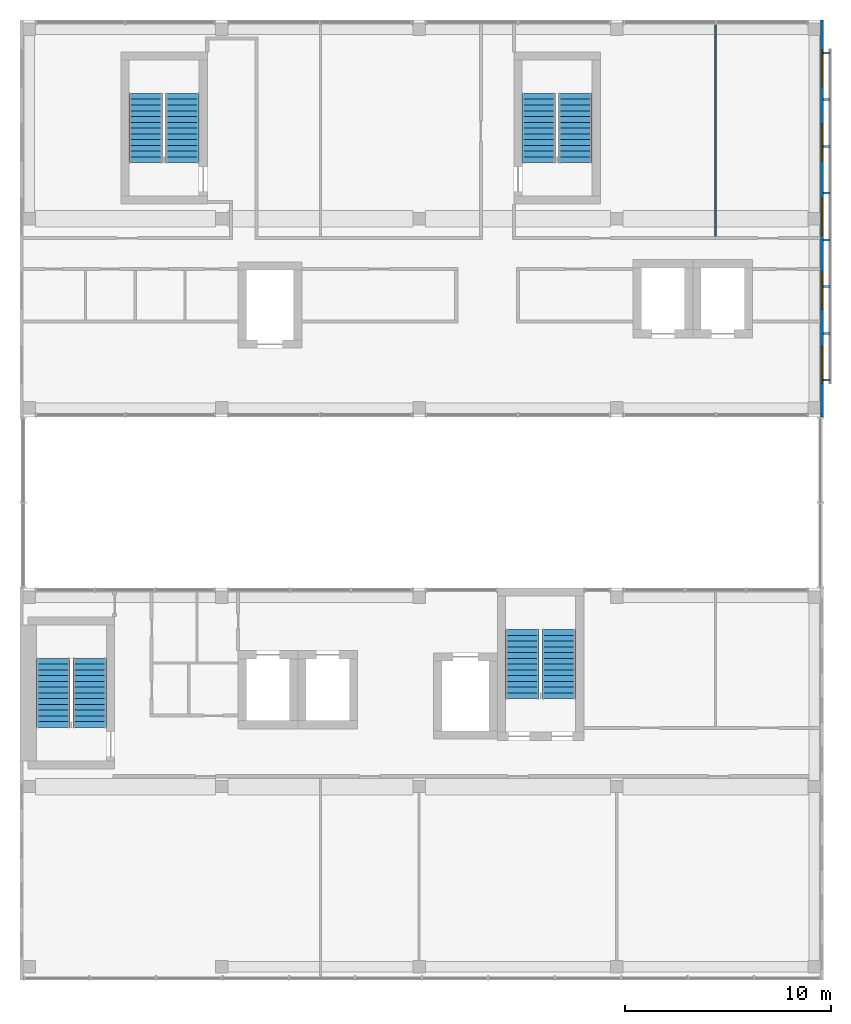
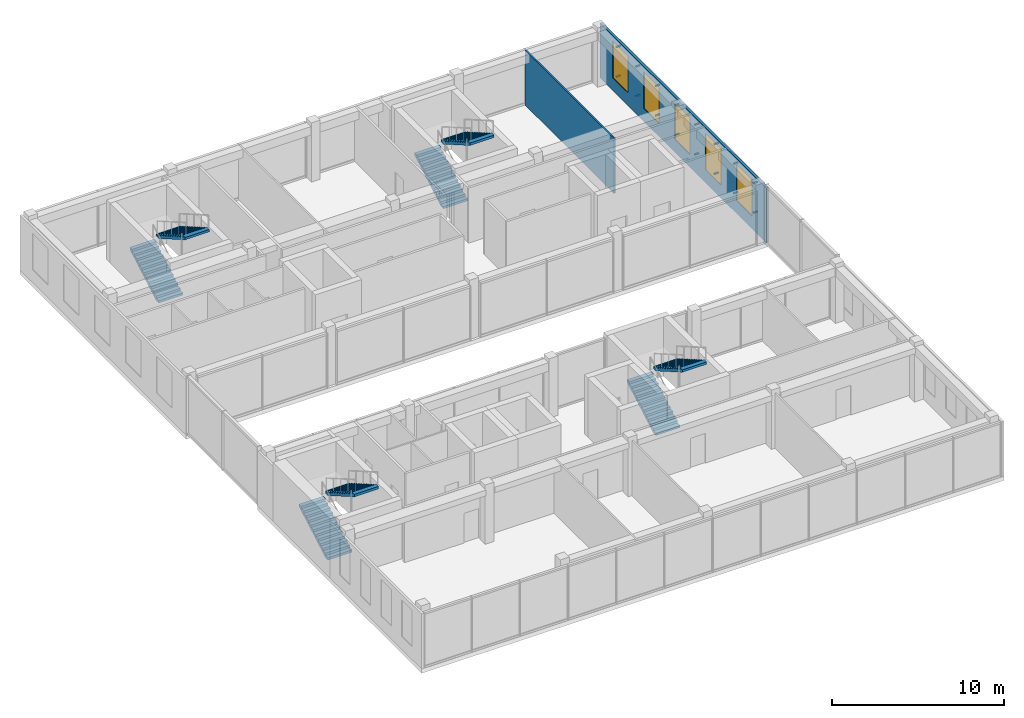
# One storey, part 22 of 28: 16 discrete accessories, 8 stair flights, 5 windows, 2 walls, 5 openings, 4 elements without a shape of their own.
"""IFC4 building model written with IfcOpenShell, lengths in metres."""

from ifc_helpers import new_model, si_unit, direction, frame, frame_2d, origin, origin_2d, place, context, subcontext, project, spatial, polyline, rectangle, outline, extrude, material, layer, layer_set, layer_usage, type_object, element, fill, aggregate, save


model = new_model("IFC4")

# Units and contexts
model_context = context("Model", 3, precision=1e-05, world=origin(), true_north=direction((0.0, 1.0)))
body_context = subcontext(model_context, "Body", "Model", "MODEL_VIEW")
ifc_project = project(units=[si_unit("LENGTHUNIT", "METRE"), si_unit("AREAUNIT", "SQUARE_METRE"), si_unit("VOLUMEUNIT", "CUBIC_METRE"), si_unit("PLANEANGLEUNIT", "RADIAN"), si_unit("MASSUNIT", "GRAM", prefix="KILO")], contexts=[model_context])

# Site, building, storey
site_placement = place(None, origin())
site = spatial("IfcSite", under=ifc_project, at=site_placement, CompositionType="ELEMENT")
building_placement = place(site_placement, origin())
building = spatial("IfcBuilding", under=site, at=building_placement, Name="Nzadi Deep Aquarium and Research Tower", CompositionType="ELEMENT")
storey_placement = place(building_placement, frame((0.0, 0.0, 73.89990234375)))
storey = spatial("IfcBuildingStorey", under=building, at=storey_placement, Name="L15", CompositionType="ELEMENT", Elevation=73.89990234375)

# Wall, openings, windows
ifc_material_1 = material(Name="Graphite aluminium shingle", Category="aluminium")
ifc_layer_1 = layer(ifc_material_1, 0.0400390625, Category="cladding")
ifc_material_2 = material(Name="Concrete C35/45", Category="concrete")
ifc_layer_2 = layer(ifc_material_2, 0.06005859375, Category="cladding")
ifc_material_3 = material(Name="Mineral wool insulation")
ifc_layer_3 = layer(ifc_material_3, 0.050048828125, Category="insulation")
ifc_layer_set_1 = layer_set([ifc_layer_1, ifc_layer_2, ifc_layer_3], Name="Graphite aluminium shingle, Concrete C35/45, Mineral wool insulation")
ifc_layer_usage = layer_usage(ifc_layer_set_1, "AXIS2", "POSITIVE", -0.074951171875)
wall_type_1 = type_object("IfcWallType", Name="End wall shingle over board-formed concrete 150", PredefinedType="ELEMENTEDWALL", material=ifc_layer_set_1)
wall_1_placement = place(storey_placement, frame((38.77490234375, 27.14990234375, 0.0), z_axis=(0.0, 0.0, 1.0), x_axis=(0.0, 1.0, 0.0)))
wall_1 = element("IfcWall", 1, at=wall_1_placement, inside=storey, type_object=wall_type_1, material=ifc_layer_usage, Name="End wall blade B east L15", PredefinedType="ELEMENTEDWALL", context=body_context, shape_type="SweptSolid", body=[
    extrude(rectangle(XDim=19.300048828125, YDim=0.14990234375, at=frame_2d((9.64990234375, 0.0))), origin(), (0.0, 0.0, 1.0), 3.900146484375),
])
opening_1_placement = place(wall_1_placement, frame((1.64990234375, 0.0, 0.89990234375)))
opening_1 = element("IfcOpeningElement", 2, at=opening_1_placement, cuts=wall_1, Name="Opening WN01", PredefinedType="OPENING", context=body_context, shape_type="SweptSolid", body=[
    extrude(rectangle(XDim=1.800048828125, YDim=2.60009765625, at=frame_2d((0.89990234375, 1.300048828125))), frame((0.0, 0.0849609375, 0.0), z_axis=(0.0, -1.0, 0.0), x_axis=(1.0, 0.0, 0.0)), (0.0, 0.0, 1.0), 0.169921875),
])
opening_2_placement = place(wall_1_placement, frame((5.25, 0.0, 0.89990234375)))
opening_2 = element("IfcOpeningElement", 3, at=opening_2_placement, cuts=wall_1, Name="Opening WN01", PredefinedType="OPENING", context=body_context, shape_type="SweptSolid", body=[
    extrude(rectangle(XDim=1.800048828125, YDim=2.60009765625, at=frame_2d((0.89990234375, 1.300048828125))), frame((0.0, 0.0849609375, 0.0), z_axis=(0.0, -1.0, 0.0), x_axis=(1.0, 0.0, 0.0)), (0.0, 0.0, 1.0), 0.169921875),
])
opening_3_placement = place(wall_1_placement, frame((8.85009765625, 0.0, 0.89990234375)))
opening_3 = element("IfcOpeningElement", 4, at=opening_3_placement, cuts=wall_1, Name="Opening WN01", PredefinedType="OPENING", context=body_context, shape_type="SweptSolid", body=[
    extrude(rectangle(XDim=1.800048828125, YDim=2.60009765625, at=frame_2d((0.89990234375, 1.300048828125))), frame((0.0, 0.0849609375, 0.0), z_axis=(0.0, -1.0, 0.0), x_axis=(1.0, 0.0, 0.0)), (0.0, 0.0, 1.0), 0.169921875),
])
opening_4_placement = place(wall_1_placement, frame((12.449951171875, 0.0, 0.89990234375)))
opening_4 = element("IfcOpeningElement", 5, at=opening_4_placement, cuts=wall_1, Name="Opening WN01", PredefinedType="OPENING", context=body_context, shape_type="SweptSolid", body=[
    extrude(rectangle(XDim=1.800048828125, YDim=2.60009765625, at=frame_2d((0.89990234375, 1.300048828125))), frame((0.0, 0.0849609375, 0.0), z_axis=(0.0, -1.0, 0.0), x_axis=(1.0, 0.0, 0.0)), (0.0, 0.0, 1.0), 0.169921875),
])
opening_5_placement = place(wall_1_placement, frame((16.050048828125, 0.0, 0.89990234375)))
opening_5 = element("IfcOpeningElement", 6, at=opening_5_placement, cuts=wall_1, Name="Opening WN01", PredefinedType="OPENING", context=body_context, shape_type="SweptSolid", body=[
    extrude(rectangle(XDim=1.800048828125, YDim=2.60009765625, at=frame_2d((0.89990234375, 1.300048828125))), frame((0.0, 0.0849609375, 0.0), z_axis=(0.0, -1.0, 0.0), x_axis=(1.0, 0.0, 0.0)), (0.0, 0.0, 1.0), 0.169921875),
])
ifc_material_4 = material(Name="Aluminium window, sage tint glazing", Category="aluminium")
window_type = type_object("IfcWindowType", Name="Slot window 1800x2600 sill 900", PartitioningType="SINGLE_PANEL", PredefinedType="WINDOW", material=ifc_material_4)
window_1_placement = place(opening_1_placement, origin())
window_1 = element("IfcWindow", 7, at=window_1_placement, inside=storey, type_object=window_type, Name="Slot window L15 BE", OverallHeight=2.60009765625, OverallWidth=1.800048828125, PartitioningType="SINGLE_PANEL", PredefinedType="WINDOW", context=body_context, shape_type="SweptSolid", body=[
    extrude(rectangle(XDim=1.800048828125, YDim=2.60009765625, at=frame_2d((0.89990234375, 1.300048828125))), frame((0.0, 0.030029296875, 0.0), z_axis=(0.0, -1.0, 0.0), x_axis=(1.0, 0.0, 0.0)), (0.0, 0.0, 1.0), 0.06005859375),
])
fill(opening_1, window_1)
window_2_placement = place(opening_2_placement, origin())
window_2 = element("IfcWindow", 8, at=window_2_placement, inside=storey, type_object=window_type, Name="Slot window L15 BE", OverallHeight=2.60009765625, OverallWidth=1.800048828125, PartitioningType="SINGLE_PANEL", PredefinedType="WINDOW", context=body_context, shape_type="SweptSolid", body=[
    extrude(rectangle(XDim=1.800048828125, YDim=2.60009765625, at=frame_2d((0.89990234375, 1.300048828125))), frame((0.0, 0.030029296875, 0.0), z_axis=(0.0, -1.0, 0.0), x_axis=(1.0, 0.0, 0.0)), (0.0, 0.0, 1.0), 0.06005859375),
])
fill(opening_2, window_2)
window_3_placement = place(opening_3_placement, origin())
window_3 = element("IfcWindow", 9, at=window_3_placement, inside=storey, type_object=window_type, Name="Slot window L15 BE", OverallHeight=2.60009765625, OverallWidth=1.800048828125, PartitioningType="SINGLE_PANEL", PredefinedType="WINDOW", context=body_context, shape_type="SweptSolid", body=[
    extrude(rectangle(XDim=1.800048828125, YDim=2.60009765625, at=frame_2d((0.89990234375, 1.300048828125))), frame((0.0, 0.030029296875, 0.0), z_axis=(0.0, -1.0, 0.0), x_axis=(1.0, 0.0, 0.0)), (0.0, 0.0, 1.0), 0.06005859375),
])
fill(opening_3, window_3)
window_4_placement = place(opening_4_placement, origin())
window_4 = element("IfcWindow", 10, at=window_4_placement, inside=storey, type_object=window_type, Name="Slot window L15 BE", OverallHeight=2.60009765625, OverallWidth=1.800048828125, PartitioningType="SINGLE_PANEL", PredefinedType="WINDOW", context=body_context, shape_type="SweptSolid", body=[
    extrude(rectangle(XDim=1.800048828125, YDim=2.60009765625, at=frame_2d((0.89990234375, 1.300048828125))), frame((0.0, 0.030029296875, 0.0), z_axis=(0.0, -1.0, 0.0), x_axis=(1.0, 0.0, 0.0)), (0.0, 0.0, 1.0), 0.06005859375),
])
fill(opening_4, window_4)
window_5_placement = place(opening_5_placement, origin())
window_5 = element("IfcWindow", 11, at=window_5_placement, inside=storey, type_object=window_type, Name="Slot window L15 BE", OverallHeight=2.60009765625, OverallWidth=1.800048828125, PartitioningType="SINGLE_PANEL", PredefinedType="WINDOW", context=body_context, shape_type="SweptSolid", body=[
    extrude(rectangle(XDim=1.800048828125, YDim=2.60009765625, at=frame_2d((0.89990234375, 1.300048828125))), frame((0.0, 0.030029296875, 0.0), z_axis=(0.0, -1.0, 0.0), x_axis=(1.0, 0.0, 0.0)), (0.0, 0.0, 1.0), 0.06005859375),
])
fill(opening_5, window_5)

# Wall
ifc_material_5 = material(Name="Blockwork masonry", Category="masonry")
ifc_layer_4 = layer(ifc_material_5, 0.10009765625)
ifc_layer_set_2 = layer_set([ifc_layer_4], Name="Blockwork masonry")
wall_type_2 = type_object("IfcWallType", Name="Partition 100 EI 30", PredefinedType="PARTITIONING", material=ifc_layer_set_2)
wall_2_placement = place(storey_placement, frame((33.60009765625, 35.925048828125, 0.0), z_axis=(0.0, 0.0, 1.0), x_axis=(0.0, 1.0, 0.0)))
element("IfcWall", 12, at=wall_2_placement, inside=storey, type_object=wall_type_2, Name="W-Z1-L15-P037", PredefinedType="PARTITIONING", context=body_context, shape_type="SweptSolid", body=[
    extrude(rectangle(XDim=10.31884765625, YDim=0.10009765625, at=frame_2d((5.159423828125, 0.0))), origin(), (0.0, 0.0, 1.0), 3.900146484375),
])

# Stair, stair flights
ifc_material_6 = material(Name="Concrete C35/45", Category="concrete")
stair_type = type_object("IfcStairType", Name="STAIR RETURN 3000", PredefinedType="NOTDEFINED", material=ifc_material_6)
stair_1_placement = place(storey_placement, origin())
stair_1 = element("IfcStair", 13, at=stair_1_placement, inside=storey, type_object=stair_type, Name="Stair ST-Z1-SW L15", PredefinedType="HALF_TURN_STAIR")
ifc_material_7 = material(Name="Concrete C35/45", Category="concrete")
stair_flight_type = type_object("IfcStairFlightType", Name="FLIGHT 1625 13 RISERS 161.5 GOING 280", PredefinedType="STRAIGHT", material=ifc_material_7)
stair_flight_1_placement = place(storey_placement, frame((1.41259765625, 12.070068359375, 0.0), z_axis=(0.0, 0.0, 1.0), x_axis=(0.0, 1.0, 0.0)))
stair_flight_1 = element("IfcStairFlight", 14, at=stair_flight_1_placement, type_object=stair_flight_type, Name="ST-Z1-SW flight 1", NumberOfRisers=13, NumberOfTreads=12, PredefinedType="STRAIGHT", RiserHeight=0.161538462, TreadLength=0.28, context=body_context, shape_type="SweptSolid", body=[
    extrude(outline(polyline([(0.0, 0.0), (0.0, 0.16162109375), (0.280029296875, 0.16162109375), (0.280029296875, 0.322998046875), (0.56005859375, 0.322998046875), (0.56005859375, 0.484619140625), (0.840087890625, 0.484619140625), (0.840087890625, 0.646240234375), (1.1201171875, 0.646240234375), (1.1201171875, 0.8076171875), (1.39990234375, 0.8076171875), (1.39990234375, 0.96923828125), (1.679931640625, 0.96923828125), (1.679931640625, 1.130859375), (1.9599609375, 1.130859375), (1.9599609375, 1.292236328125), (2.239990234375, 1.292236328125), (2.239990234375, 1.453857421875), (2.52001953125, 1.453857421875), (2.52001953125, 1.615478515625), (2.800048828125, 1.615478515625), (2.800048828125, 1.77685546875), (3.080078125, 1.77685546875), (3.080078125, 1.9384765625), (3.360107421875, 1.9384765625), (3.360107421875, 2.10009765625), (3.360107421875, 1.765380859375), (0.300048828125, 0.0), (0.0, 0.0)])), frame((0.0, 0.8125, 0.0), z_axis=(0.0, -1.0, 0.0), x_axis=(1.0, 0.0, 0.0)), (0.0, 0.0, 1.0), 1.625),
])
stair_flight_2_placement = place(storey_placement, frame((3.1875, 15.429931640625, 2.10009765625), z_axis=(0.0, 0.0, 1.0), x_axis=(0.0, -1.0, 0.0)))
stair_flight_2 = element("IfcStairFlight", 15, at=stair_flight_2_placement, type_object=stair_flight_type, Name="ST-Z1-SW flight 2", NumberOfRisers=13, NumberOfTreads=12, PredefinedType="STRAIGHT", RiserHeight=0.161538462, TreadLength=0.28, context=body_context, shape_type="SweptSolid", body=[
    extrude(outline(polyline([(0.0, 0.0), (0.0, 0.16162109375), (0.280029296875, 0.16162109375), (0.280029296875, 0.322998046875), (0.56005859375, 0.322998046875), (0.56005859375, 0.484619140625), (0.840087890625, 0.484619140625), (0.840087890625, 0.646240234375), (1.1201171875, 0.646240234375), (1.1201171875, 0.8076171875), (1.39990234375, 0.8076171875), (1.39990234375, 0.96923828125), (1.679931640625, 0.96923828125), (1.679931640625, 1.130859375), (1.9599609375, 1.130859375), (1.9599609375, 1.292236328125), (2.239990234375, 1.292236328125), (2.239990234375, 1.453857421875), (2.52001953125, 1.453857421875), (2.52001953125, 1.615478515625), (2.800048828125, 1.615478515625), (2.800048828125, 1.77685546875), (3.080078125, 1.77685546875), (3.080078125, 1.9384765625), (3.360107421875, 1.9384765625), (3.360107421875, 2.10009765625), (3.360107421875, 1.765380859375), (0.300048828125, 0.0), (0.0, 0.0)])), frame((0.0, 0.8125, 0.0), z_axis=(0.0, -1.0, 0.0), x_axis=(1.0, 0.0, 0.0)), (0.0, 0.0, 1.0), 1.625),
])
aggregate(stair_1, [stair_flight_1, stair_flight_2])

stair_2_placement = place(storey_placement, origin())
stair_2 = element("IfcStair", 16, at=stair_2_placement, inside=storey, type_object=stair_type, Name="Stair ST-Z1-SE L15", PredefinedType="HALF_TURN_STAIR")
stair_flight_3_placement = place(storey_placement, frame((24.21240234375, 13.469970703125, 0.0), z_axis=(0.0, 0.0, 1.0), x_axis=(0.0, 1.0, 0.0)))
stair_flight_3 = element("IfcStairFlight", 17, at=stair_flight_3_placement, type_object=stair_flight_type, Name="ST-Z1-SE flight 1", NumberOfRisers=13, NumberOfTreads=12, PredefinedType="STRAIGHT", RiserHeight=0.161538462, TreadLength=0.28, context=body_context, shape_type="SweptSolid", body=[
    extrude(outline(polyline([(0.0, 0.0), (0.0, 0.16162109375), (0.280029296875, 0.16162109375), (0.280029296875, 0.322998046875), (0.56005859375, 0.322998046875), (0.56005859375, 0.484619140625), (0.840087890625, 0.484619140625), (0.840087890625, 0.646240234375), (1.1201171875, 0.646240234375), (1.1201171875, 0.8076171875), (1.39990234375, 0.8076171875), (1.39990234375, 0.96923828125), (1.679931640625, 0.96923828125), (1.679931640625, 1.130859375), (1.9599609375, 1.130859375), (1.9599609375, 1.292236328125), (2.239990234375, 1.292236328125), (2.239990234375, 1.453857421875), (2.52001953125, 1.453857421875), (2.52001953125, 1.615478515625), (2.800048828125, 1.615478515625), (2.800048828125, 1.77685546875), (3.080078125, 1.77685546875), (3.080078125, 1.9384765625), (3.360107421875, 1.9384765625), (3.360107421875, 2.10009765625), (3.360107421875, 1.765380859375), (0.300048828125, 0.0), (0.0, 0.0)])), frame((0.0, 0.8125, 0.0), z_axis=(0.0, -1.0, 0.0), x_axis=(1.0, 0.0, 0.0)), (0.0, 0.0, 1.0), 1.625),
])
stair_flight_4_placement = place(storey_placement, frame((25.987548828125, 16.830078125, 2.10009765625), z_axis=(0.0, 0.0, 1.0), x_axis=(0.0, -1.0, 0.0)))
stair_flight_4 = element("IfcStairFlight", 18, at=stair_flight_4_placement, type_object=stair_flight_type, Name="ST-Z1-SE flight 2", NumberOfRisers=13, NumberOfTreads=12, PredefinedType="STRAIGHT", RiserHeight=0.161538462, TreadLength=0.28, context=body_context, shape_type="SweptSolid", body=[
    extrude(outline(polyline([(0.0, 0.0), (0.0, 0.16162109375), (0.280029296875, 0.16162109375), (0.280029296875, 0.322998046875), (0.56005859375, 0.322998046875), (0.56005859375, 0.484619140625), (0.840087890625, 0.484619140625), (0.840087890625, 0.646240234375), (1.1201171875, 0.646240234375), (1.1201171875, 0.8076171875), (1.39990234375, 0.8076171875), (1.39990234375, 0.96923828125), (1.679931640625, 0.96923828125), (1.679931640625, 1.130859375), (1.9599609375, 1.130859375), (1.9599609375, 1.292236328125), (2.239990234375, 1.292236328125), (2.239990234375, 1.453857421875), (2.52001953125, 1.453857421875), (2.52001953125, 1.615478515625), (2.800048828125, 1.615478515625), (2.800048828125, 1.77685546875), (3.080078125, 1.77685546875), (3.080078125, 1.9384765625), (3.360107421875, 1.9384765625), (3.360107421875, 2.10009765625), (3.360107421875, 1.765380859375), (0.300048828125, 0.0), (0.0, 0.0)])), frame((0.0, 0.8125, 0.0), z_axis=(0.0, -1.0, 0.0), x_axis=(1.0, 0.0, 0.0)), (0.0, 0.0, 1.0), 1.625),
])
aggregate(stair_2, [stair_flight_3, stair_flight_4])

stair_3_placement = place(storey_placement, origin())
stair_3 = element("IfcStair", 19, at=stair_3_placement, inside=storey, type_object=stair_type, Name="Stair ST-Z1-NW L15", PredefinedType="HALF_TURN_STAIR")
stair_flight_5_placement = place(storey_placement, frame((5.91259765625, 39.52001953125, 0.0), z_axis=(0.0, 0.0, 1.0), x_axis=(0.0, 1.0, 0.0)))
stair_flight_5 = element("IfcStairFlight", 20, at=stair_flight_5_placement, type_object=stair_flight_type, Name="ST-Z1-NW flight 1", NumberOfRisers=13, NumberOfTreads=12, PredefinedType="STRAIGHT", RiserHeight=0.161538462, TreadLength=0.28, context=body_context, shape_type="SweptSolid", body=[
    extrude(outline(polyline([(0.0, 0.0), (0.0, 0.16162109375), (0.280029296875, 0.16162109375), (0.280029296875, 0.322998046875), (0.56005859375, 0.322998046875), (0.56005859375, 0.484619140625), (0.840087890625, 0.484619140625), (0.840087890625, 0.646240234375), (1.1201171875, 0.646240234375), (1.1201171875, 0.8076171875), (1.39990234375, 0.8076171875), (1.39990234375, 0.96923828125), (1.679931640625, 0.96923828125), (1.679931640625, 1.130859375), (1.9599609375, 1.130859375), (1.9599609375, 1.292236328125), (2.239990234375, 1.292236328125), (2.239990234375, 1.453857421875), (2.52001953125, 1.453857421875), (2.52001953125, 1.615478515625), (2.800048828125, 1.615478515625), (2.800048828125, 1.77685546875), (3.080078125, 1.77685546875), (3.080078125, 1.9384765625), (3.360107421875, 1.9384765625), (3.360107421875, 2.10009765625), (3.360107421875, 1.765380859375), (0.300048828125, 0.0), (0.0, 0.0)])), frame((0.0, 0.8125, 0.0), z_axis=(0.0, -1.0, 0.0), x_axis=(1.0, 0.0, 0.0)), (0.0, 0.0, 1.0), 1.625),
])
stair_flight_6_placement = place(storey_placement, frame((7.6875, 42.8798828125, 2.10009765625), z_axis=(0.0, 0.0, 1.0), x_axis=(0.0, -1.0, 0.0)))
stair_flight_6 = element("IfcStairFlight", 21, at=stair_flight_6_placement, type_object=stair_flight_type, Name="ST-Z1-NW flight 2", NumberOfRisers=13, NumberOfTreads=12, PredefinedType="STRAIGHT", RiserHeight=0.161538462, TreadLength=0.28, context=body_context, shape_type="SweptSolid", body=[
    extrude(outline(polyline([(0.0, 0.0), (0.0, 0.16162109375), (0.280029296875, 0.16162109375), (0.280029296875, 0.322998046875), (0.56005859375, 0.322998046875), (0.56005859375, 0.484619140625), (0.840087890625, 0.484619140625), (0.840087890625, 0.646240234375), (1.1201171875, 0.646240234375), (1.1201171875, 0.8076171875), (1.39990234375, 0.8076171875), (1.39990234375, 0.96923828125), (1.679931640625, 0.96923828125), (1.679931640625, 1.130859375), (1.9599609375, 1.130859375), (1.9599609375, 1.292236328125), (2.239990234375, 1.292236328125), (2.239990234375, 1.453857421875), (2.52001953125, 1.453857421875), (2.52001953125, 1.615478515625), (2.800048828125, 1.615478515625), (2.800048828125, 1.77685546875), (3.080078125, 1.77685546875), (3.080078125, 1.9384765625), (3.360107421875, 1.9384765625), (3.360107421875, 2.10009765625), (3.360107421875, 1.765380859375), (0.300048828125, 0.0), (0.0, 0.0)])), frame((0.0, 0.8125, 0.0), z_axis=(0.0, -1.0, 0.0), x_axis=(1.0, 0.0, 0.0)), (0.0, 0.0, 1.0), 1.625),
])
aggregate(stair_3, [stair_flight_5, stair_flight_6])

stair_4_placement = place(storey_placement, origin())
stair_4 = element("IfcStair", 22, at=stair_4_placement, inside=storey, type_object=stair_type, Name="Stair ST-Z1-NE L15", PredefinedType="HALF_TURN_STAIR")
stair_flight_7_placement = place(storey_placement, frame((25.012451171875, 39.52001953125, 0.0), z_axis=(0.0, 0.0, 1.0), x_axis=(0.0, 1.0, 0.0)))
stair_flight_7 = element("IfcStairFlight", 23, at=stair_flight_7_placement, type_object=stair_flight_type, Name="ST-Z1-NE flight 1", NumberOfRisers=13, NumberOfTreads=12, PredefinedType="STRAIGHT", RiserHeight=0.161538462, TreadLength=0.28, context=body_context, shape_type="SweptSolid", body=[
    extrude(outline(polyline([(0.0, 0.0), (0.0, 0.16162109375), (0.280029296875, 0.16162109375), (0.280029296875, 0.322998046875), (0.56005859375, 0.322998046875), (0.56005859375, 0.484619140625), (0.840087890625, 0.484619140625), (0.840087890625, 0.646240234375), (1.1201171875, 0.646240234375), (1.1201171875, 0.8076171875), (1.39990234375, 0.8076171875), (1.39990234375, 0.96923828125), (1.679931640625, 0.96923828125), (1.679931640625, 1.130859375), (1.9599609375, 1.130859375), (1.9599609375, 1.292236328125), (2.239990234375, 1.292236328125), (2.239990234375, 1.453857421875), (2.52001953125, 1.453857421875), (2.52001953125, 1.615478515625), (2.800048828125, 1.615478515625), (2.800048828125, 1.77685546875), (3.080078125, 1.77685546875), (3.080078125, 1.9384765625), (3.360107421875, 1.9384765625), (3.360107421875, 2.10009765625), (3.360107421875, 1.765380859375), (0.300048828125, 0.0), (0.0, 0.0)])), frame((0.0, 0.8125, 0.0), z_axis=(0.0, -1.0, 0.0), x_axis=(1.0, 0.0, 0.0)), (0.0, 0.0, 1.0), 1.625),
])
stair_flight_8_placement = place(storey_placement, frame((26.78759765625, 42.8798828125, 2.10009765625), z_axis=(0.0, 0.0, 1.0), x_axis=(0.0, -1.0, 0.0)))
stair_flight_8 = element("IfcStairFlight", 24, at=stair_flight_8_placement, type_object=stair_flight_type, Name="ST-Z1-NE flight 2", NumberOfRisers=13, NumberOfTreads=12, PredefinedType="STRAIGHT", RiserHeight=0.161538462, TreadLength=0.28, context=body_context, shape_type="SweptSolid", body=[
    extrude(outline(polyline([(0.0, 0.0), (0.0, 0.16162109375), (0.280029296875, 0.16162109375), (0.280029296875, 0.322998046875), (0.56005859375, 0.322998046875), (0.56005859375, 0.484619140625), (0.840087890625, 0.484619140625), (0.840087890625, 0.646240234375), (1.1201171875, 0.646240234375), (1.1201171875, 0.8076171875), (1.39990234375, 0.8076171875), (1.39990234375, 0.96923828125), (1.679931640625, 0.96923828125), (1.679931640625, 1.130859375), (1.9599609375, 1.130859375), (1.9599609375, 1.292236328125), (2.239990234375, 1.292236328125), (2.239990234375, 1.453857421875), (2.52001953125, 1.453857421875), (2.52001953125, 1.615478515625), (2.800048828125, 1.615478515625), (2.800048828125, 1.77685546875), (3.080078125, 1.77685546875), (3.080078125, 1.9384765625), (3.360107421875, 1.9384765625), (3.360107421875, 2.10009765625), (3.360107421875, 1.765380859375), (0.300048828125, 0.0), (0.0, 0.0)])), frame((0.0, 0.8125, 0.0), z_axis=(0.0, -1.0, 0.0), x_axis=(1.0, 0.0, 0.0)), (0.0, 0.0, 1.0), 1.625),
])
aggregate(stair_4, [stair_flight_7, stair_flight_8])

# Discrete accessories
for number, where, z_axis, x_axis, name in (
    (25, (39.0, 28.949951171875, 0.949951171875), (0.0, 0.0, 1.0), (1.0, 0.0, 0.0), "Screen bracket L15"),
    (26, (39.0, 28.949951171875, 3.050048828125), (0.0, 0.0, 1.0), (1.0, 0.0, 0.0), "Screen bracket L15"),
    (27, (39.0, 31.221435546875, 0.949951171875), (0.0, 0.0, 1.0), (1.0, 0.0, 0.0), "Screen bracket L15"),
    (28, (39.0, 31.221435546875, 3.050048828125), (0.0, 0.0, 1.0), (1.0, 0.0, 0.0), "Screen bracket L15"),
    (29, (39.0, 33.492919921875, 0.949951171875), (0.0, 0.0, 1.0), (1.0, 0.0, 0.0), "Screen bracket L15"),
    (30, (39.0, 33.492919921875, 3.050048828125), (0.0, 0.0, 1.0), (1.0, 0.0, 0.0), "Screen bracket L15"),
    (31, (39.0, 35.764404296875, 0.949951171875), (0.0, 0.0, 1.0), (1.0, 0.0, 0.0), "Screen bracket L15"),
    (32, (39.0, 35.764404296875, 3.050048828125), (0.0, 0.0, 1.0), (1.0, 0.0, 0.0), "Screen bracket L15"),
    (33, (39.0, 38.03564453125, 0.949951171875), (0.0, 0.0, 1.0), (1.0, 0.0, 0.0), "Screen bracket L15"),
    (34, (39.0, 38.03564453125, 3.050048828125), (0.0, 0.0, 1.0), (1.0, 0.0, 0.0), "Screen bracket L15"),
    (35, (39.0, 40.30712890625, 0.949951171875), (0.0, 0.0, 1.0), (1.0, 0.0, 0.0), "Screen bracket L15"),
    (36, (39.0, 40.30712890625, 3.050048828125), (0.0, 0.0, 1.0), (1.0, 0.0, 0.0), "Screen bracket L15"),
    (37, (39.0, 42.57861328125, 0.949951171875), (0.0, 0.0, 1.0), (1.0, 0.0, 0.0), "Screen bracket L15"),
    (38, (39.0, 42.57861328125, 3.050048828125), (0.0, 0.0, 1.0), (1.0, 0.0, 0.0), "Screen bracket L15"),
    (39, (39.0, 44.85009765625, 0.949951171875), (0.0, 0.0, 1.0), (1.0, 0.0, 0.0), "Screen bracket L15"),
    (40, (39.0, 44.85009765625, 3.050048828125), (0.0, 0.0, 1.0), (1.0, 0.0, 0.0), "Screen bracket L15"),
):
    element("IfcDiscreteAccessory", number, at=place(storey_placement, frame(where, z_axis=z_axis, x_axis=x_axis)), inside=storey, Name=name, PredefinedType="BRACKET", context=body_context, shape_type="SweptSolid", body=[
        extrude(rectangle(XDim=0.300048828125, YDim=0.10009765625, at=origin_2d()), origin(), (0.0, 0.0, 1.0), 0.10009765625),
    ])

save(model, "model.ifc")
